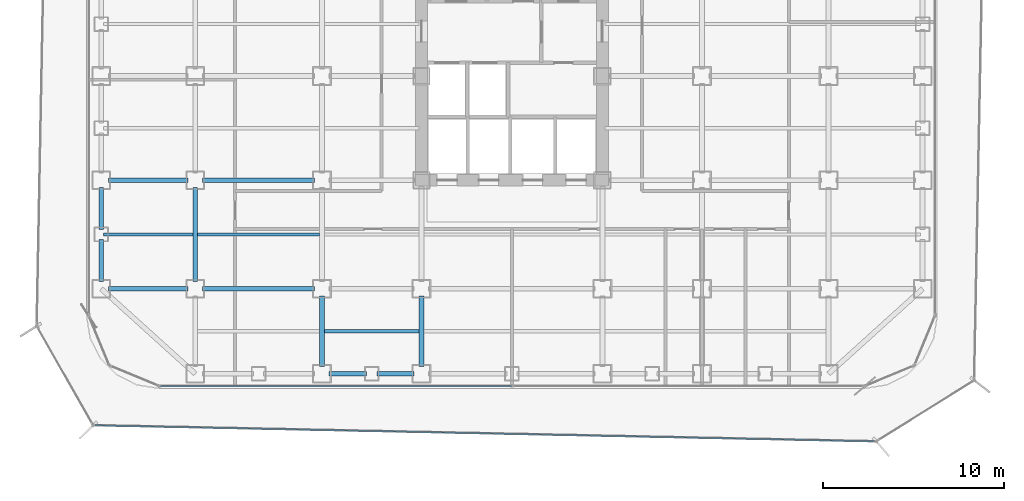
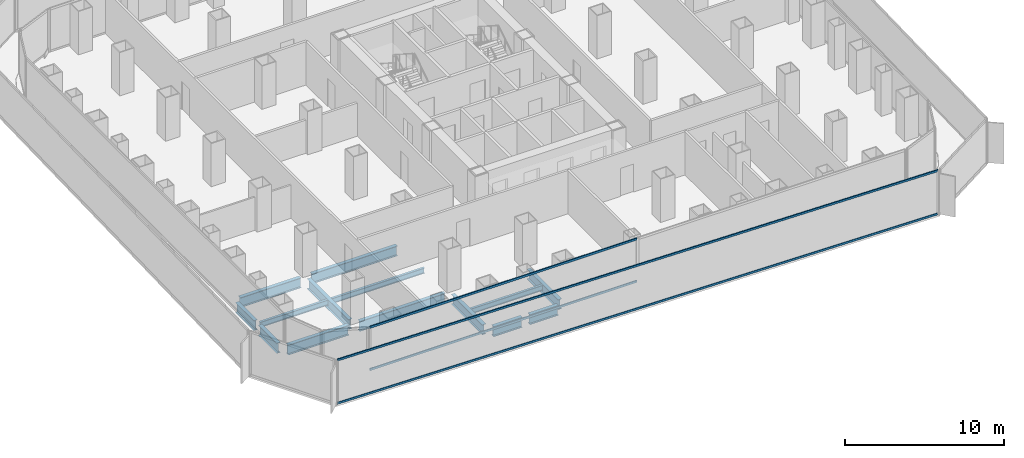
# One storey, part 3 of 21: 14 beams, 4 members, 2 elements without a shape of their own.
"""IFC4 building model written with IfcOpenShell, lengths in metres."""

from ifc_helpers import new_model, si_unit, direction, frame, origin, origin_2d, place, context, subcontext, project, spatial, hollow_rectangle, i_section, extrude, source, transform, mapped, material, layer, layer_set, material_profile, profile_set, type_object, element, aggregate, save


model = new_model("IFC4")

# Units and contexts
model_context = context("Model", 3, precision=1e-05, world=origin(), true_north=direction((0.0, 1.0)))
body_context = subcontext(model_context, "Body", "Model", "MODEL_VIEW")
ifc_project = project(units=[si_unit("LENGTHUNIT", "METRE"), si_unit("AREAUNIT", "SQUARE_METRE"), si_unit("VOLUMEUNIT", "CUBIC_METRE"), si_unit("PLANEANGLEUNIT", "RADIAN"), si_unit("MASSUNIT", "GRAM", prefix="KILO")], contexts=[model_context])

# Site, building, storey
site_placement = place(None, origin())
site = spatial("IfcSite", under=ifc_project, at=site_placement, CompositionType="ELEMENT")
building_placement = place(site_placement, origin())
building = spatial("IfcBuilding", under=site, at=building_placement, Name="Kolveth Station Tower", CompositionType="ELEMENT")
storey_placement = place(building_placement, frame((0.0, 0.0, 26.10009765625)))
storey = spatial("IfcBuildingStorey", under=building, at=storey_placement, Name="L06", CompositionType="ELEMENT", Elevation=26.10009765625)

# Beams
ifc_material_1 = material(Name="Steel S355", Category="steel")
ifc_material_profile_1 = material_profile(ifc_material_1, i_section(OverallWidth=0.26904296875, OverallDepth=0.77490234375, WebThickness=0.01708984375, FlangeThickness=0.0283203125, at=origin_2d()), Name="W760x220")
ifc_profile_set_1 = profile_set([ifc_material_profile_1], Name="Steel S355")
beam_type_1 = type_object("IfcBeamType", Name="Beam_SP1", PredefinedType="SPANDREL", material=ifc_profile_set_1)
shared_shape_1 = source(origin(), body_context, "Body", "SweptSolid", [
    extrude(i_section(OverallWidth=0.26904296875, OverallDepth=0.77490234375, WebThickness=0.01708984375, FlangeThickness=0.0283203125, at=origin_2d()), origin(), (0.0, 0.0, 1.0), 2.070068359375),
])
for number, where, z_axis, x_axis, name in (
    (1, (13.39990234375, 0.800048828125, -0.66748046875), (1.0, 0.0, 0.0), (0.0, 1.0, 0.0), "L06 Perimeter Spandrel BM-L06-PS-3"),
    (2, (16.030029296875, 0.800048828125, -0.66748046875), (1.0, 0.0, 0.0), (0.0, 1.0, 0.0), "L06 Perimeter Spandrel BM-L06-PS-4"),
):
    element("IfcBeam", number, at=place(storey_placement, frame(where, z_axis=z_axis, x_axis=x_axis)), inside=storey, type_object=beam_type_1, Name=name, PredefinedType="SPANDREL", context=body_context, shape_type="MappedRepresentation", body=[
        mapped(shared_shape_1, transform((0.0, 0.0, 0.0), x_axis=(1.0, 0.0, 0.0), y_axis=(0.0, 1.0, 0.0), z_axis=(0.0, 0.0, 1.0), scale=1.0)),
    ])
shared_shape_2 = source(origin(), body_context, "Body", "SweptSolid", [
    extrude(i_section(OverallWidth=0.26904296875, OverallDepth=0.77490234375, WebThickness=0.01708984375, FlangeThickness=0.0283203125, at=origin_2d()), origin(), (0.0, 0.0, 1.0), 2.320068359375),
])
for number, where, z_axis, x_axis, name in (
    (3, (0.800048828125, 5.89990234375, -0.66748046875), (0.0, 1.0, 0.0), (-1.0, 0.0, 0.0), "L06 Perimeter Spandrel BM-L06-PW-1"),
    (4, (0.800048828125, 8.780029296875, -0.66748046875), (0.0, 1.0, 0.0), (-1.0, 0.0, 0.0), "L06 Perimeter Spandrel BM-L06-PW-2"),
):
    element("IfcBeam", number, at=place(storey_placement, frame(where, z_axis=z_axis, x_axis=x_axis)), inside=storey, type_object=beam_type_1, Name=name, PredefinedType="SPANDREL", context=body_context, shape_type="MappedRepresentation", body=[
        mapped(shared_shape_2, transform((0.0, 0.0, 0.0), x_axis=(1.0, 0.0, 0.0), y_axis=(0.0, 1.0, 0.0), z_axis=(0.0, 0.0, 1.0), scale=1.0)),
    ])
ifc_material_profile_2 = material_profile(ifc_material_1, i_section(OverallWidth=0.26708984375, OverallDepth=0.76611328125, WebThickness=0.014892578125, FlangeThickness=0.023681640625, at=origin_2d()), Name="W760x185")
ifc_profile_set_2 = profile_set([ifc_material_profile_2], Name="Steel S355")
beam_type_2 = type_object("IfcBeamType", Name="Beam_B3", PredefinedType="BEAM", material=ifc_profile_set_2)
shared_shape_3 = source(origin(), body_context, "Body", "SweptSolid", [
    extrude(i_section(OverallWidth=0.26708984375, OverallDepth=0.76611328125, WebThickness=0.014892578125, FlangeThickness=0.023681640625, at=origin_2d()), origin(), (0.0, 0.0, 1.0), 4.400146484375),
])
for number, where, z_axis, x_axis, name in (
    (5, (1.199951171875, 5.5, -0.6630859375), (1.0, 0.0, 0.0), (0.0, 1.0, 0.0), "L06 Primary Girder BM-L06-GY55-1"),
    (6, (1.199951171875, 11.5, -0.6630859375), (1.0, 0.0, 0.0), (0.0, 1.0, 0.0), "L06 Primary Girder BM-L06-GY115-1"),
):
    element("IfcBeam", number, at=place(storey_placement, frame(where, z_axis=z_axis, x_axis=x_axis)), inside=storey, type_object=beam_type_2, Name=name, PredefinedType="BEAM", context=body_context, shape_type="MappedRepresentation", body=[
        mapped(shared_shape_3, transform((0.0, 0.0, 0.0), x_axis=(1.0, 0.0, 0.0), y_axis=(0.0, 1.0, 0.0), z_axis=(0.0, 0.0, 1.0), scale=1.0)),
    ])
shared_shape_4 = source(origin(), body_context, "Body", "SweptSolid", [
    extrude(i_section(OverallWidth=0.26708984375, OverallDepth=0.76611328125, WebThickness=0.014892578125, FlangeThickness=0.023681640625, at=origin_2d()), origin(), (0.0, 0.0, 1.0), 6.2001953125),
])
for number, where, z_axis, x_axis, name in (
    (7, (6.39990234375, 5.5, -0.6630859375), (1.0, 0.0, 0.0), (0.0, 1.0, 0.0), "L06 Primary Girder BM-L06-GY55-2"),
    (8, (6.39990234375, 11.5, -0.6630859375), (1.0, 0.0, 0.0), (0.0, 1.0, 0.0), "L06 Primary Girder BM-L06-GY115-2"),
):
    element("IfcBeam", number, at=place(storey_placement, frame(where, z_axis=z_axis, x_axis=x_axis)), inside=storey, type_object=beam_type_2, Name=name, PredefinedType="BEAM", context=body_context, shape_type="MappedRepresentation", body=[
        mapped(shared_shape_4, transform((0.0, 0.0, 0.0), x_axis=(1.0, 0.0, 0.0), y_axis=(0.0, 1.0, 0.0), z_axis=(0.0, 0.0, 1.0), scale=1.0)),
    ])
shared_shape_5 = source(origin(), body_context, "Body", "SweptSolid", [
    extrude(i_section(OverallWidth=0.26708984375, OverallDepth=0.76611328125, WebThickness=0.014892578125, FlangeThickness=0.023681640625, at=origin_2d()), origin(), (0.0, 0.0, 1.0), 3.900146484375),
])
for number, where, z_axis, x_axis, name in (
    (9, (13.0, 1.199951171875, -0.6630859375), (0.0, 1.0, 0.0), (-1.0, 0.0, 0.0), "L06 Primary Girder BM-L06-GX130-1"),
    (10, (18.5, 1.199951171875, -0.6630859375), (0.0, 1.0, 0.0), (-1.0, 0.0, 0.0), "L06 Primary Girder BM-L06-GX185-1"),
):
    element("IfcBeam", number, at=place(storey_placement, frame(where, z_axis=z_axis, x_axis=x_axis)), inside=storey, type_object=beam_type_2, Name=name, PredefinedType="BEAM", context=body_context, shape_type="MappedRepresentation", body=[
        mapped(shared_shape_5, transform((0.0, 0.0, 0.0), x_axis=(1.0, 0.0, 0.0), y_axis=(0.0, 1.0, 0.0), z_axis=(0.0, 0.0, 1.0), scale=1.0)),
    ])
shared_shape_6 = source(origin(), body_context, "Body", "SweptSolid", [
    extrude(i_section(OverallWidth=0.26708984375, OverallDepth=0.76611328125, WebThickness=0.014892578125, FlangeThickness=0.023681640625, at=origin_2d()), origin(), (0.0, 0.0, 1.0), 5.2001953125),
])
beam_1_placement = place(storey_placement, frame((6.0, 5.89990234375, -0.6630859375), z_axis=(0.0, 1.0, 0.0), x_axis=(-1.0, 0.0, 0.0)))
element("IfcBeam", 11, at=beam_1_placement, inside=storey, type_object=beam_type_2, Name="L06 Primary Girder BM-L06-GX60-2", PredefinedType="BEAM", context=body_context, shape_type="MappedRepresentation", body=[
    mapped(shared_shape_6, transform((0.0, 0.0, 0.0), x_axis=(1.0, 0.0, 0.0), y_axis=(0.0, 1.0, 0.0), z_axis=(0.0, 0.0, 1.0), scale=1.0)),
])
ifc_material_profile_3 = material_profile(ifc_material_1, i_section(OverallWidth=0.177978515625, OverallDepth=0.406982421875, WebThickness=0.0078125, FlangeThickness=0.0126953125, at=origin_2d()), Name="W410x60")
ifc_profile_set_3 = profile_set([ifc_material_profile_3], Name="Steel S355")
beam_type_3 = type_object("IfcBeamType", Name="Beam_J1", PredefinedType="JOIST", material=ifc_profile_set_3)
shared_shape_7 = source(origin(), body_context, "Body", "SweptSolid", [
    extrude(i_section(OverallWidth=0.177978515625, OverallDepth=0.406982421875, WebThickness=0.0078125, FlangeThickness=0.0126953125, at=origin_2d()), origin(), (0.0, 0.0, 1.0), 4.935791015625),
])
beam_2_placement = place(storey_placement, frame((0.9326171875, 8.5, -0.483642578125), z_axis=(1.0, 0.0, 0.0), x_axis=(0.0, 1.0, 0.0)))
element("IfcBeam", 12, at=beam_2_placement, inside=storey, type_object=beam_type_3, Name="L06 Secondary Joist JST-L06-1-2", PredefinedType="JOIST", context=body_context, shape_type="MappedRepresentation", body=[
    mapped(shared_shape_7, transform((0.0, 0.0, 0.0), x_axis=(1.0, 0.0, 0.0), y_axis=(0.0, 1.0, 0.0), z_axis=(0.0, 0.0, 1.0), scale=1.0)),
])
shared_shape_8 = source(origin(), body_context, "Body", "SweptSolid", [
    extrude(i_section(OverallWidth=0.177978515625, OverallDepth=0.406982421875, WebThickness=0.0078125, FlangeThickness=0.0126953125, at=origin_2d()), origin(), (0.0, 0.0, 1.0), 6.73681640625),
])
beam_3_placement = place(storey_placement, frame((6.131591796875, 8.5, -0.483642578125), z_axis=(1.0, 0.0, 0.0), x_axis=(0.0, 1.0, 0.0)))
element("IfcBeam", 13, at=beam_3_placement, inside=storey, type_object=beam_type_3, Name="L06 Secondary Joist JST-L06-2-2", PredefinedType="JOIST", context=body_context, shape_type="MappedRepresentation", body=[
    mapped(shared_shape_8, transform((0.0, 0.0, 0.0), x_axis=(1.0, 0.0, 0.0), y_axis=(0.0, 1.0, 0.0), z_axis=(0.0, 0.0, 1.0), scale=1.0)),
])
shared_shape_9 = source(origin(), body_context, "Body", "SweptSolid", [
    extrude(i_section(OverallWidth=0.177978515625, OverallDepth=0.406982421875, WebThickness=0.0078125, FlangeThickness=0.0126953125, at=origin_2d()), origin(), (0.0, 0.0, 1.0), 5.23681640625),
])
beam_4_placement = place(storey_placement, frame((13.131591796875, 3.14990234375, -0.483642578125), z_axis=(1.0, 0.0, 0.0), x_axis=(0.0, 1.0, 0.0)))
element("IfcBeam", 14, at=beam_4_placement, inside=storey, type_object=beam_type_3, Name="L06 Secondary Joist JST-L06-3-1", PredefinedType="JOIST", context=body_context, shape_type="MappedRepresentation", body=[
    mapped(shared_shape_9, transform((0.0, 0.0, 0.0), x_axis=(1.0, 0.0, 0.0), y_axis=(0.0, 1.0, 0.0), z_axis=(0.0, 0.0, 1.0), scale=1.0)),
])

# Curtain wall, members
ifc_material_2 = material(Name="Aluminium 6063-T6 and low-E dark glass", Category="aluminium")
ifc_layer_1 = layer(ifc_material_2, 0.179931640625)
ifc_layer_set_1 = layer_set([ifc_layer_1], Name="Aluminium 6063-T6 and low-E dark glass")
curtain_wall_type_1 = type_object("IfcCurtainWallType", Name="CurtainWall_CW-Z1", PredefinedType="NOTDEFINED", material=ifc_layer_set_1)
curtain_wall_1_placement = place(storey_placement, origin())
curtain_wall_1 = element("IfcCurtainWall", 15, at=curtain_wall_1_placement, inside=storey, type_object=curtain_wall_type_1, Name="L06 Inner Thermal Curtain Wall 12", PredefinedType="NOTDEFINED")
ifc_material_3 = material(Name="Black anodized aluminium 6063-T6", Category="aluminium")
ifc_material_profile_4 = material_profile(ifc_material_3, hollow_rectangle(XDim=0.074951171875, YDim=0.159912109375, WallThickness=0.0048828125, at=origin_2d()), Name="ALU-75x160x5")
ifc_profile_set_4 = profile_set([ifc_material_profile_4], Name="Black anodized aluminium 6063-T6")
member_type_1 = type_object("IfcMemberType", Name="Transom_TR1", PredefinedType="USERDEFINED", material=ifc_profile_set_4)
shared_shape_10 = source(origin(), body_context, "Body", "SweptSolid", [
    extrude(hollow_rectangle(XDim=0.074951171875, YDim=0.159912109375, WallThickness=0.0048828125, at=origin_2d()), origin(), (0.0, 0.0, 1.0), 19.387451171875),
])
member_1_placement = place(storey_placement, frame((4.074951171875, 0.1201171875, 0.037353515625), z_axis=(1.0, 0.0, 0.0), x_axis=(0.0, 1.0, 0.0)))
member_1 = element("IfcMember", 16, at=member_1_placement, type_object=member_type_1, Name="CW-Z1 transom 1.1", ObjectType="TRANSOM", PredefinedType="USERDEFINED", context=body_context, shape_type="MappedRepresentation", body=[
    mapped(shared_shape_10, transform((0.0, 0.0, 0.0), x_axis=(1.0, 0.0, 0.0), y_axis=(0.0, 1.0, 0.0), z_axis=(0.0, 0.0, 1.0), scale=1.0)),
])
member_2_placement = place(storey_placement, frame((4.074951171875, 0.1201171875, 3.282470703125), z_axis=(1.0, 0.0, 0.0), x_axis=(0.0, 1.0, 0.0)))
member_2 = element("IfcMember", 17, at=member_2_placement, type_object=member_type_1, Name="CW-Z1 transom 1.2", ObjectType="TRANSOM", PredefinedType="USERDEFINED", context=body_context, shape_type="MappedRepresentation", body=[
    mapped(shared_shape_10, transform((0.0, 0.0, 0.0), x_axis=(1.0, 0.0, 0.0), y_axis=(0.0, 1.0, 0.0), z_axis=(0.0, 0.0, 1.0), scale=1.0)),
])
aggregate(curtain_wall_1, [member_1, member_2])

ifc_material_4 = material(Name="Black anodized aluminium 6063-T6 and dark solar glass", Category="aluminium")
ifc_layer_2 = layer(ifc_material_4, 0.159912109375)
ifc_layer_set_2 = layer_set([ifc_layer_2], Name="Black anodized aluminium 6063-T6 and dark solar glass")
curtain_wall_type_2 = type_object("IfcCurtainWallType", Name="OUTER SKIN CW-OS", PredefinedType="NOTDEFINED", material=ifc_layer_set_2)
curtain_wall_2_placement = place(storey_placement, origin())
curtain_wall_2 = element("IfcCurtainWall", 18, at=curtain_wall_2_placement, inside=storey, type_object=curtain_wall_type_2, Name="L06 Outer Ventilated Skin Curtain Wall 8", PredefinedType="NOTDEFINED")
ifc_material_profile_5 = material_profile(ifc_material_3, hollow_rectangle(XDim=0.080078125, YDim=0.14990234375, WallThickness=0.0048828125, at=origin_2d()), Name="ALU-80x150x5")
ifc_profile_set_5 = profile_set([ifc_material_profile_5], Name="Black anodized aluminium 6063-T6")
member_type_2 = type_object("IfcMemberType", Name="Transom_TR-OS", PredefinedType="USERDEFINED", material=ifc_profile_set_5)
shared_shape_11 = source(origin(), body_context, "Body", "SweptSolid", [
    extrude(hollow_rectangle(XDim=0.080078125, YDim=0.14990234375, WallThickness=0.0048828125, at=origin_2d()), origin(), (0.0, 0.0, 1.0), 43.10009765625),
])
member_3_placement = place(storey_placement, frame((0.4560546875, -2.04736328125, 0.039794921875), z_axis=(0.999787644898, -0.020607404219, 0.0), x_axis=(0.020607404219, 0.999787644898, 0.0)))
member_3 = element("IfcMember", 19, at=member_3_placement, type_object=member_type_2, Name="CW-OS transom 1.1", ObjectType="TRANSOM", PredefinedType="USERDEFINED", context=body_context, shape_type="MappedRepresentation", body=[
    mapped(shared_shape_11, transform((0.0, 0.0, 0.0), x_axis=(1.0, 0.0, 0.0), y_axis=(0.0, 1.0, 0.0), z_axis=(0.0, 0.0, 1.0), scale=1.0)),
])
member_4_placement = place(storey_placement, frame((0.4560546875, -2.04736328125, 3.349853515625), z_axis=(0.999787644898, -0.020607404219, 0.0), x_axis=(0.020607404219, 0.999787644898, 0.0)))
member_4 = element("IfcMember", 20, at=member_4_placement, type_object=member_type_2, Name="CW-OS transom 1.2", ObjectType="TRANSOM", PredefinedType="USERDEFINED", context=body_context, shape_type="MappedRepresentation", body=[
    mapped(shared_shape_11, transform((0.0, 0.0, 0.0), x_axis=(1.0, 0.0, 0.0), y_axis=(0.0, 1.0, 0.0), z_axis=(0.0, 0.0, 1.0), scale=1.0)),
])
aggregate(curtain_wall_2, [member_3, member_4])

save(model, "model.ifc")
